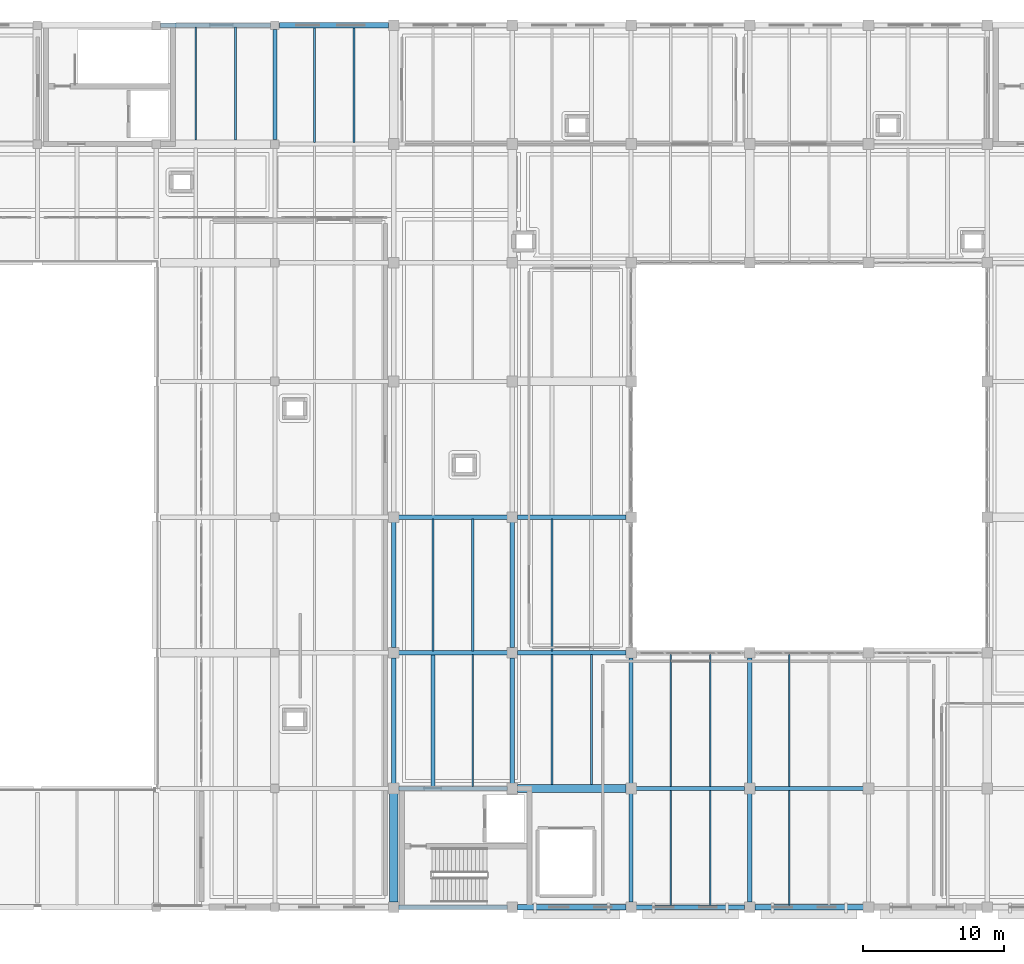
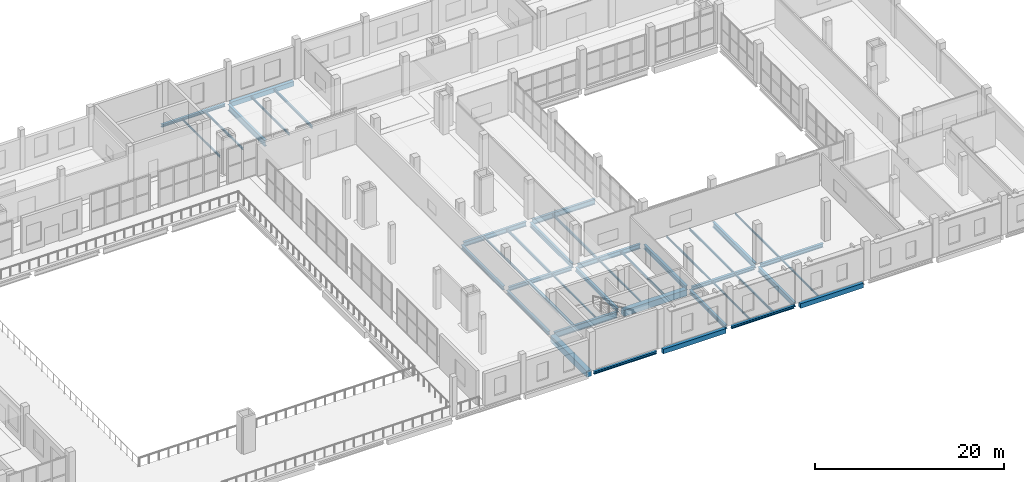
# One storey, part 35 of 77: 41 beams.
"""IFC4 building model written with IfcOpenShell, lengths in metres."""

import ifcopenshell
import ifcopenshell.guid

model = None  # the IFC model being written
_history = None  # IfcOwnerHistory: only IFC2X3 demands one
_inside = {}  # id of a spatial element -> (the spatial element, [elements in it])
_under = {}  # id of a project, library or spatial element -> (it, [spatial elements below it])
_declared = {}  # id of a project -> (the project, [libraries it declares])
_typed = {}  # id of a type object -> (the type object, [elements of that type])
_made_of = {}  # id of a material, layer set ... -> (it, [elements and type objects made of it])


def new_model(schema):
    """Start an empty IFC model of exactly this schema.

    Asked for "IFC4X3", IfcOpenShell would pick the latest addendum, in which some entities
    have other attributes; the version numbers below select the first issue.
    IFC2X3 requires an IfcOwnerHistory on every rooted entity: one is made here for all.
    """
    global model, _history
    if schema == "IFC4X3":
        model = ifcopenshell.file(schema_version=(4, 3, 0, 0))
    else:
        model = ifcopenshell.file(schema=schema)
    _inside.clear()
    _under.clear()
    _declared.clear()
    _typed.clear()
    _made_of.clear()
    _history = None
    if model.schema == "IFC2X3":
        org = make("IfcOrganization", Name="unknown")
        user = make(
            "IfcPersonAndOrganization",
            ThePerson=make("IfcPerson", FamilyName="unknown"),
            TheOrganization=org,
        )
        app = make(
            "IfcApplication",
            ApplicationDeveloper=org,
            Version="unknown",
            ApplicationFullName="unknown",
            ApplicationIdentifier="unknown",
        )
        _history = make(
            "IfcOwnerHistory",
            OwningUser=user,
            OwningApplication=app,
            ChangeAction="ADDED",
            CreationDate=0,
        )
    return model


def make(cls, **values):
    """One entity of the class cls with the attributes given. An attribute that is None is left unset."""
    return model.create_entity(
        cls, **{name: value for name, value in values.items() if value is not None}
    )


def rooted(cls, **values):
    """An entity with a GlobalId (a new one), such as an element, a storey or a relation."""
    return make(cls, GlobalId=ifcopenshell.guid.new(), OwnerHistory=_history, **values)


def si_unit(unit_type, name, prefix=None):
    """IfcSIUnit, for example si_unit("LENGTHUNIT", "METRE", prefix="MILLI")."""
    return make("IfcSIUnit", UnitType=unit_type, Prefix=prefix, Name=name)


def assignment(units):
    """IfcUnitAssignment: the units of a project."""
    return None if units is None else make("IfcUnitAssignment", Units=units)


def point(xyz):
    """IfcCartesianPoint."""
    return None if xyz is None else make("IfcCartesianPoint", Coordinates=xyz)


def direction(xyz):
    """IfcDirection."""
    return None if xyz is None else make("IfcDirection", DirectionRatios=xyz)


def frame(location, z_axis=None, x_axis=None):
    """IfcAxis2Placement3D, a coordinate frame: its origin and axes. An axis left out is left unset."""
    return make(
        "IfcAxis2Placement3D",
        Location=point(location),
        Axis=direction(z_axis),
        RefDirection=direction(x_axis),
    )


def frame_2d(location, x_axis=None):
    """IfcAxis2Placement2D, a coordinate frame in the plane: its origin and x axis."""
    return make(
        "IfcAxis2Placement2D", Location=point(location), RefDirection=direction(x_axis)
    )


def origin():
    """The frame at (0, 0, 0) with its axes left unset."""
    return frame((0.0, 0.0, 0.0))


def origin_2d():
    """The frame at (0, 0) in the plane with its x axis left unset."""
    return frame_2d((0.0, 0.0))


def place(relative_to, where):
    """IfcLocalPlacement: puts the frame where relative to a parent placement (None: the world)."""
    return make(
        "IfcLocalPlacement", PlacementRelTo=relative_to, RelativePlacement=where
    )


def context(
    kind, dimensions, precision=None, world=None, true_north=None, identifier=None
):
    """IfcGeometricRepresentationContext, for example the 3D "Model" context."""
    return make(
        "IfcGeometricRepresentationContext",
        ContextIdentifier=identifier,
        ContextType=kind,
        CoordinateSpaceDimension=dimensions,
        Precision=precision,
        WorldCoordinateSystem=world,
        TrueNorth=true_north,
    )


def subcontext(parent, identifier, kind, view, scale=None):
    """IfcGeometricRepresentationSubContext, for example "Body" below "Model"."""
    return make(
        "IfcGeometricRepresentationSubContext",
        ContextIdentifier=identifier,
        ContextType=kind,
        ParentContext=parent,
        TargetScale=scale,
        TargetView=view,
    )


def project(units=None, contexts=None):
    """IfcProject with its units and contexts."""
    return rooted(
        "IfcProject",
        Name="project",
        RepresentationContexts=contexts,
        UnitsInContext=assignment(units),
    )


def spatial(cls, under=None, at=None, **own):
    """A site, building, storey or space (cls), placed at a placement, below another one or the project."""
    s = rooted(cls, ObjectPlacement=at, **own)
    if under is not None:
        _under.setdefault(under.id(), (under, []))[1].append(s)
    return s


def profile(cls, at=None, kind="AREA", **sizes):
    """A parametric profile (cls). Its sizes go by their IFC names, for example OverallWidth=200.0."""
    return make(cls, ProfileType=kind, Position=at, **sizes)


def rectangle(**sizes):
    """IfcRectangleProfileDef."""
    return profile("IfcRectangleProfileDef", **sizes)


def i_section(**sizes):
    """IfcIShapeProfileDef."""
    return profile("IfcIShapeProfileDef", **sizes)


def extrude(swept, where, along, depth):
    """IfcExtrudedAreaSolid: the profile swept, set in the frame where, extruded along a direction by depth."""
    return make(
        "IfcExtrudedAreaSolid",
        SweptArea=swept,
        Position=where,
        ExtrudedDirection=direction(along),
        Depth=depth,
    )


def shape(context_of_items, identifier, shape_type, items):
    """IfcShapeRepresentation: the items that make up one representation, for example the "Body"."""
    return make(
        "IfcShapeRepresentation",
        ContextOfItems=context_of_items,
        RepresentationIdentifier=identifier,
        RepresentationType=shape_type,
        Items=items,
    )


def material(Name=None, Category=None):
    """IfcMaterial."""
    return make("IfcMaterial", Name=Name, Category=Category)


def material_profile(
    of_material, cross_section, Name=None, Category=None, Priority=None
):
    """IfcMaterialProfile: a cross section and its material."""
    return make(
        "IfcMaterialProfile",
        Name=Name,
        Material=of_material,
        Profile=cross_section,
        Priority=Priority,
        Category=Category,
    )


def profile_set(profiles, Name=None, composite=None):
    """IfcMaterialProfileSet."""
    return make(
        "IfcMaterialProfileSet",
        Name=Name,
        MaterialProfiles=profiles,
        CompositeProfile=composite,
    )


def made_of(thing, what):
    """Note that an element or type object is made of a material, layer set ...; save() writes the relation."""
    if what is not None:
        _made_of.setdefault(what.id(), (what, []))[1].append(thing)
    return thing


def type_object(cls, material=None, **own):
    """A type object (cls), such as IfcWallType, which elements share."""
    return made_of(rooted(cls, **own), material)


def element(
    cls,
    number,
    at=None,
    inside=None,
    cuts=None,
    type_object=None,
    material=None,
    context=None,
    identifier="Body",
    shape_type=None,
    held_by="IfcProductDefinitionShape",
    body=None,
    shapes=None,
    **own,
):
    """One element of the class cls, such as IfcWall. Its Tag is "e" and its number.

    at: its placement. inside: the storey or other place that contains it. cuts: it is an
    opening in that element (IfcRelVoidsElement). A single representation is given by context,
    identifier, shape_type and body (its items); several are given by shapes. held_by: the class
    of the entity that holds the representations. save() writes the other relations.
    """
    e = rooted(cls, Tag="e%d" % number, ObjectPlacement=at, **own)
    if body is not None:
        shapes = [shape(context, identifier, shape_type, body)]
    if shapes is not None:
        e.Representation = make(held_by, Representations=shapes)
    if inside is not None:
        _inside.setdefault(inside.id(), (inside, []))[1].append(e)
    if cuts is not None:
        rooted(
            "IfcRelVoidsElement", RelatingBuildingElement=cuts, RelatedOpeningElement=e
        )
    if type_object is not None:
        _typed.setdefault(type_object.id(), (type_object, []))[1].append(e)
    return made_of(e, material)


def aggregate(whole, parts):
    """IfcRelAggregates: a whole, such as a stair, and the parts it consists of."""
    return rooted("IfcRelAggregates", RelatingObject=whole, RelatedObjects=parts)


def save(model, path):
    """Write the relations noted so far, then the file.

    IfcRelAggregates (storeys below a building ...), IfcRelContainedInSpatialStructure (elements
    in a storey), IfcRelDefinesByType, IfcRelAssociatesMaterial and IfcRelDeclares: one each for
    every whole, place, type object, material and project.
    """
    for whole, parts in _under.values():
        aggregate(whole, parts)
    for where, things in _inside.values():
        rooted(
            "IfcRelContainedInSpatialStructure",
            RelatedElements=things,
            RelatingStructure=where,
        )
    for kind, things in _typed.values():
        rooted("IfcRelDefinesByType", RelatedObjects=things, RelatingType=kind)
    for what, things in _made_of.values():
        rooted("IfcRelAssociatesMaterial", RelatedObjects=things, RelatingMaterial=what)
    for by, libraries in _declared.values():
        rooted("IfcRelDeclares", RelatingContext=by, RelatedDefinitions=libraries)
    model.write(path)


model = new_model("IFC4")

# Units and contexts
model_context = context("Model", 3, precision=1e-05, world=origin(), true_north=direction((0.0, 1.0)))
body_context = subcontext(model_context, "Body", "Model", "MODEL_VIEW")
ifc_project = project(units=[si_unit("LENGTHUNIT", "METRE"), si_unit("AREAUNIT", "SQUARE_METRE"), si_unit("VOLUMEUNIT", "CUBIC_METRE"), si_unit("PLANEANGLEUNIT", "RADIAN"), si_unit("MASSUNIT", "GRAM", prefix="KILO")], contexts=[model_context])

# Site, building, storey
site_placement = place(None, origin())
site = spatial("IfcSite", under=ifc_project, at=site_placement, CompositionType="ELEMENT")
building_placement = place(site_placement, origin())
building = spatial("IfcBuilding", under=site, at=building_placement, Name="Zulmaris Art Gallery", CompositionType="ELEMENT")
storey_placement = place(building_placement, frame((0.0, 0.0, 15.60009765625)))
storey = spatial("IfcBuildingStorey", under=building, at=storey_placement, Name="L03", CompositionType="ELEMENT", Elevation=15.60009765625)

# Beams
ifc_material_1 = material(Name="Steel S355J2", Category="steel")
ifc_material_profile_1 = material_profile(ifc_material_1, i_section(OverallWidth=0.300048828125, OverallDepth=0.43994140625, WebThickness=0.011474609375, FlangeThickness=0.02099609375, FilletRadius=0.027099609375, at=origin_2d()), Name="HEA 450")
ifc_profile_set_1 = profile_set([ifc_material_profile_1], Name="Steel S355J2")
beam_type_1 = type_object("IfcBeamType", Name="BEAM-BM10", PredefinedType="BEAM", material=ifc_profile_set_1)
beam_1_placement = place(storey_placement, frame((158.760009765625, 21.60009765625, -0.6201171875), z_axis=(1.0, 0.0, 0.0), x_axis=(0.0, 1.0, 0.0)))
element("IfcBeam", 1, at=beam_1_placement, inside=storey, type_object=beam_type_1, Name="L03 X-girder (158.4..166.8, y=21.6)", PredefinedType="BEAM", context=body_context, shape_type="SweptSolid", body=[
    extrude(i_section(OverallWidth=0.300048828125, OverallDepth=0.43994140625, WebThickness=0.011474609375, FlangeThickness=0.02099609375, FilletRadius=0.027099609375, at=origin_2d()), origin(), (0.0, 0.0, 1.0), 7.679931640625),
])
beam_2_placement = place(storey_placement, frame((141.60009765625, 21.9599609375, -0.6201171875), z_axis=(0.0, 1.0, 0.0), x_axis=(-1.0, 0.0, 0.0)))
element("IfcBeam", 2, at=beam_2_placement, inside=storey, type_object=beam_type_1, Name="L03 Y-girder (x=141.6, 21.6..31.2)", PredefinedType="BEAM", context=body_context, shape_type="SweptSolid", body=[
    extrude(i_section(OverallWidth=0.300048828125, OverallDepth=0.43994140625, WebThickness=0.011474609375, FlangeThickness=0.02099609375, FilletRadius=0.027099609375, at=origin_2d()), origin(), (0.0, 0.0, 1.0), 8.880126953125),
])
ifc_material_profile_2 = material_profile(ifc_material_1, i_section(OverallWidth=0.300048828125, OverallDepth=0.489990234375, WebThickness=0.011962890625, FlangeThickness=0.02294921875, FilletRadius=0.027099609375, at=origin_2d()), Name="HEA 500")
ifc_profile_set_2 = profile_set([ifc_material_profile_2], Name="Steel S355J2")
beam_type_2 = type_object("IfcBeamType", Name="BEAM-BM11", PredefinedType="BEAM", material=ifc_profile_set_2)
beam_3_placement = place(storey_placement, frame((167.159912109375, 21.60009765625, -0.614990234375), z_axis=(1.0, 0.0, 0.0), x_axis=(0.0, 1.0, 0.0)))
element("IfcBeam", 3, at=beam_3_placement, inside=storey, type_object=beam_type_2, Name="L03 X-girder (166.8..175.2, y=21.6)", PredefinedType="BEAM", context=body_context, shape_type="SweptSolid", body=[
    extrude(i_section(OverallWidth=0.300048828125, OverallDepth=0.489990234375, WebThickness=0.011962890625, FlangeThickness=0.02294921875, FilletRadius=0.027099609375, at=origin_2d()), origin(), (0.0, 0.0, 1.0), 7.68017578125),
])
beam_4_placement = place(storey_placement, frame((141.9599609375, 31.199951171875, -0.614990234375), z_axis=(1.0, 0.0, 0.0), x_axis=(0.0, 1.0, 0.0)))
element("IfcBeam", 4, at=beam_4_placement, inside=storey, type_object=beam_type_2, Name="L03 X-girder (141.6..150.0, y=31.2)", PredefinedType="BEAM", context=body_context, shape_type="SweptSolid", body=[
    extrude(i_section(OverallWidth=0.300048828125, OverallDepth=0.489990234375, WebThickness=0.011962890625, FlangeThickness=0.02294921875, FilletRadius=0.027099609375, at=origin_2d()), origin(), (0.0, 0.0, 1.0), 7.679931640625),
])
beam_5_placement = place(storey_placement, frame((141.60009765625, 31.56005859375, -0.614990234375), z_axis=(0.0, 1.0, 0.0), x_axis=(-1.0, 0.0, 0.0)))
element("IfcBeam", 5, at=beam_5_placement, inside=storey, type_object=beam_type_2, Name="L03 Y-girder (x=141.6, 31.2..40.8)", PredefinedType="BEAM", context=body_context, shape_type="SweptSolid", body=[
    extrude(i_section(OverallWidth=0.300048828125, OverallDepth=0.489990234375, WebThickness=0.011962890625, FlangeThickness=0.02294921875, FilletRadius=0.027099609375, at=origin_2d()), origin(), (0.0, 0.0, 1.0), 8.8798828125),
])
beam_6_placement = place(storey_placement, frame((150.0, 21.9599609375, -0.614990234375), z_axis=(0.0, 1.0, 0.0), x_axis=(-1.0, 0.0, 0.0)))
element("IfcBeam", 6, at=beam_6_placement, inside=storey, type_object=beam_type_2, Name="L03 Y-girder (x=150.0, 21.6..31.2)", PredefinedType="BEAM", context=body_context, shape_type="SweptSolid", body=[
    extrude(i_section(OverallWidth=0.300048828125, OverallDepth=0.489990234375, WebThickness=0.011962890625, FlangeThickness=0.02294921875, FilletRadius=0.027099609375, at=origin_2d()), origin(), (0.0, 0.0, 1.0), 8.880126953125),
])
beam_7_placement = place(storey_placement, frame((158.39990234375, 13.56005859375, -0.614990234375), z_axis=(0.0, 1.0, 0.0), x_axis=(-1.0, 0.0, 0.0)))
element("IfcBeam", 7, at=beam_7_placement, inside=storey, type_object=beam_type_2, Name="L03 Y-girder (x=158.4, 13.2..21.6)", PredefinedType="BEAM", context=body_context, shape_type="SweptSolid", body=[
    extrude(i_section(OverallWidth=0.300048828125, OverallDepth=0.489990234375, WebThickness=0.011962890625, FlangeThickness=0.02294921875, FilletRadius=0.027099609375, at=origin_2d()), origin(), (0.0, 0.0, 1.0), 7.679931640625),
])
ifc_material_profile_3 = material_profile(ifc_material_1, i_section(OverallWidth=0.300048828125, OverallDepth=0.60009765625, WebThickness=0.015380859375, FlangeThickness=0.030029296875, FilletRadius=0.027099609375, at=origin_2d()), Name="HEB 600")
ifc_profile_set_3 = profile_set([ifc_material_profile_3], Name="Steel S355J2")
beam_type_3 = type_object("IfcBeamType", Name="BEAM-BM15", PredefinedType="BEAM", material=ifc_profile_set_3)
for number, where, z_axis, x_axis, name in (
    (8, (150.360107421875, 31.199951171875, -0.670166015625), (1.0, 0.0, 0.0), (0.0, 1.0, 0.0), "L03 X-girder (150.0..158.4, y=31.2)"),
    (9, (141.9599609375, 40.800048828125, -0.670166015625), (1.0, 0.0, 0.0), (0.0, 1.0, 0.0), "L03 X-girder (141.6..150.0, y=40.8)"),
):
    element("IfcBeam", number, at=place(storey_placement, frame(where, z_axis=z_axis, x_axis=x_axis)), inside=storey, type_object=beam_type_3, Name=name, PredefinedType="BEAM", context=body_context, shape_type="SweptSolid", body=[
        extrude(i_section(OverallWidth=0.300048828125, OverallDepth=0.60009765625, WebThickness=0.015380859375, FlangeThickness=0.030029296875, FilletRadius=0.027099609375, at=origin_2d()), origin(), (0.0, 0.0, 1.0), 7.679931640625),
    ])
beam_8_placement = place(storey_placement, frame((150.0, 31.56005859375, -0.670166015625), z_axis=(0.0, 1.0, 0.0), x_axis=(-1.0, 0.0, 0.0)))
element("IfcBeam", 10, at=beam_8_placement, inside=storey, type_object=beam_type_3, Name="L03 Y-girder (x=150.0, 31.2..40.8)", PredefinedType="BEAM", context=body_context, shape_type="SweptSolid", body=[
    extrude(i_section(OverallWidth=0.300048828125, OverallDepth=0.60009765625, WebThickness=0.015380859375, FlangeThickness=0.030029296875, FilletRadius=0.027099609375, at=origin_2d()), origin(), (0.0, 0.0, 1.0), 8.8798828125),
])
beam_9_placement = place(storey_placement, frame((158.39990234375, 21.9599609375, -0.670166015625), z_axis=(0.0, 1.0, 0.0), x_axis=(-1.0, 0.0, 0.0)))
element("IfcBeam", 11, at=beam_9_placement, inside=storey, type_object=beam_type_3, Name="L03 Y-girder (x=158.4, 21.6..31.2)", PredefinedType="BEAM", context=body_context, shape_type="SweptSolid", body=[
    extrude(i_section(OverallWidth=0.300048828125, OverallDepth=0.60009765625, WebThickness=0.015380859375, FlangeThickness=0.030029296875, FilletRadius=0.027099609375, at=origin_2d()), origin(), (0.0, 0.0, 1.0), 8.880126953125),
])
beam_10_placement = place(storey_placement, frame((166.800048828125, 13.56005859375, -0.670166015625), z_axis=(0.0, 1.0, 0.0), x_axis=(-1.0, 0.0, 0.0)))
element("IfcBeam", 12, at=beam_10_placement, inside=storey, type_object=beam_type_3, Name="L03 Y-girder (x=166.8, 13.2..21.6)", PredefinedType="BEAM", context=body_context, shape_type="SweptSolid", body=[
    extrude(i_section(OverallWidth=0.300048828125, OverallDepth=0.60009765625, WebThickness=0.015380859375, FlangeThickness=0.030029296875, FilletRadius=0.027099609375, at=origin_2d()), origin(), (0.0, 0.0, 1.0), 7.679931640625),
])
ifc_material_profile_4 = material_profile(ifc_material_1, i_section(OverallWidth=0.300048828125, OverallDepth=0.699951171875, WebThickness=0.01708984375, FlangeThickness=0.031982421875, FilletRadius=0.027099609375, at=origin_2d()), Name="HEB 700")
ifc_profile_set_4 = profile_set([ifc_material_profile_4], Name="Steel S355J2")
beam_type_4 = type_object("IfcBeamType", Name="BEAM-BM16", PredefinedType="BEAM", material=ifc_profile_set_4)
beam_11_placement = place(storey_placement, frame((150.360107421875, 40.800048828125, -0.72021484375), z_axis=(1.0, 0.0, 0.0), x_axis=(0.0, 1.0, 0.0)))
element("IfcBeam", 13, at=beam_11_placement, inside=storey, type_object=beam_type_4, Name="L03 X-girder (150.0..158.4, y=40.8)", PredefinedType="BEAM", context=body_context, shape_type="SweptSolid", body=[
    extrude(i_section(OverallWidth=0.300048828125, OverallDepth=0.699951171875, WebThickness=0.01708984375, FlangeThickness=0.031982421875, FilletRadius=0.027099609375, at=origin_2d()), origin(), (0.0, 0.0, 1.0), 7.679931640625),
])
beam_12_placement = place(storey_placement, frame((166.800048828125, 21.9599609375, -0.72021484375), z_axis=(0.0, 1.0, 0.0), x_axis=(-1.0, 0.0, 0.0)))
element("IfcBeam", 14, at=beam_12_placement, inside=storey, type_object=beam_type_4, Name="L03 Y-girder (x=166.8, 21.6..31.2)", PredefinedType="BEAM", context=body_context, shape_type="SweptSolid", body=[
    extrude(i_section(OverallWidth=0.300048828125, OverallDepth=0.699951171875, WebThickness=0.01708984375, FlangeThickness=0.031982421875, FilletRadius=0.027099609375, at=origin_2d()), origin(), (0.0, 0.0, 1.0), 8.880126953125),
])
ifc_material_profile_5 = material_profile(ifc_material_1, i_section(OverallWidth=0.300048828125, OverallDepth=0.800048828125, WebThickness=0.017578125, FlangeThickness=0.032958984375, FilletRadius=0.030029296875, at=origin_2d()), Name="HEB 800")
ifc_profile_set_5 = profile_set([ifc_material_profile_5], Name="Steel S355J2")
beam_type_5 = type_object("IfcBeamType", Name="BEAM-BM17", PredefinedType="BEAM", material=ifc_profile_set_5)
beam_13_placement = place(storey_placement, frame((141.9599609375, 21.60009765625, -0.77001953125), z_axis=(1.0, 0.0, 0.0), x_axis=(0.0, 1.0, 0.0)))
element("IfcBeam", 15, at=beam_13_placement, inside=storey, type_object=beam_type_5, Name="L03 X-girder (141.6..150.0, y=21.6)", PredefinedType="BEAM", context=body_context, shape_type="SweptSolid", body=[
    extrude(i_section(OverallWidth=0.300048828125, OverallDepth=0.800048828125, WebThickness=0.017578125, FlangeThickness=0.032958984375, FilletRadius=0.030029296875, at=origin_2d()), origin(), (0.0, 0.0, 1.0), 7.679931640625),
])
beam_14_placement = place(storey_placement, frame((133.199951171875, 67.510009765625, -0.77001953125), z_axis=(0.0, 1.0, 0.0), x_axis=(-1.0, 0.0, 0.0)))
element("IfcBeam", 16, at=beam_14_placement, inside=storey, type_object=beam_type_5, Name="L03 Y-girder (x=133.2, 67.2..75.6)", PredefinedType="BEAM", context=body_context, shape_type="SweptSolid", body=[
    extrude(i_section(OverallWidth=0.300048828125, OverallDepth=0.800048828125, WebThickness=0.017578125, FlangeThickness=0.032958984375, FilletRadius=0.030029296875, at=origin_2d()), origin(), (0.0, 0.0, 1.0), 7.780029296875),
])
ifc_material_2 = material(Name="Concrete C40/50", Category="concrete")
ifc_material_profile_6 = material_profile(ifc_material_2, rectangle(XDim=0.60009765625, YDim=0.800048828125, at=origin_2d()), Name="RC 600x800")
ifc_profile_set_6 = profile_set([ifc_material_profile_6], Name="Concrete C40/50")
beam_type_6 = type_object("IfcBeamType", Name="BEAM-BM27", PredefinedType="BEAM", material=ifc_profile_set_6)
for number, where, z_axis, x_axis, name in (
    (17, (150.360107421875, 21.60009765625, -0.77001953125), (1.0, 0.0, 0.0), (0.0, 1.0, 0.0), "L03 X-girder (150.0..158.4, y=21.6)"),
    (18, (141.60009765625, 13.56005859375, -0.77001953125), (0.0, 1.0, 0.0), (-1.0, 0.0, 0.0), "L03 Y-girder (x=141.6, 13.2..21.6)"),
):
    element("IfcBeam", number, at=place(storey_placement, frame(where, z_axis=z_axis, x_axis=x_axis)), inside=storey, type_object=beam_type_6, Name=name, PredefinedType="BEAM", context=body_context, shape_type="SweptSolid", body=[
        extrude(rectangle(XDim=0.60009765625, YDim=0.800048828125, at=origin_2d()), origin(), (0.0, 0.0, 1.0), 7.679931640625),
    ])
ifc_material_profile_7 = material_profile(ifc_material_1, i_section(OverallWidth=0.1201171875, OverallDepth=0.239990234375, WebThickness=0.006103515625, FlangeThickness=0.009765625, FilletRadius=0.014892578125, at=origin_2d()), Name="IPE 240")
ifc_profile_set_7 = profile_set([ifc_material_profile_7], Name="Steel S355J2")
beam_type_7 = type_object("IfcBeamType", Name="BEAM-JS01", PredefinedType="JOIST", material=ifc_profile_set_7)
beam_15_placement = place(storey_placement, frame((127.60009765625, 67.47509765625, -0.489990234375), z_axis=(0.0, 1.0, 0.0), x_axis=(-1.0, 0.0, 0.0)))
element("IfcBeam", 19, at=beam_15_placement, inside=storey, type_object=beam_type_7, Name="L03 secondary joist at x=127.6", PredefinedType="JOIST", context=body_context, shape_type="SweptSolid", body=[
    extrude(i_section(OverallWidth=0.1201171875, OverallDepth=0.239990234375, WebThickness=0.006103515625, FlangeThickness=0.009765625, FilletRadius=0.014892578125, at=origin_2d()), origin(), (0.0, 0.0, 1.0), 8.0),
])
beam_16_placement = place(storey_placement, frame((147.199951171875, 21.72509765625, -0.489990234375), z_axis=(0.0, 1.0, 0.0), x_axis=(-1.0, 0.0, 0.0)))
element("IfcBeam", 20, at=beam_16_placement, inside=storey, type_object=beam_type_7, Name="L03 secondary joist at x=147.2", PredefinedType="JOIST", context=body_context, shape_type="SweptSolid", body=[
    extrude(i_section(OverallWidth=0.1201171875, OverallDepth=0.239990234375, WebThickness=0.006103515625, FlangeThickness=0.009765625, FilletRadius=0.014892578125, at=origin_2d()), origin(), (0.0, 0.0, 1.0), 9.349853515625),
])
beam_17_placement = place(storey_placement, frame((152.800048828125, 21.875, -0.489990234375), z_axis=(0.0, 1.0, 0.0), x_axis=(-1.0, 0.0, 0.0)))
element("IfcBeam", 21, at=beam_17_placement, inside=storey, type_object=beam_type_7, Name="L03 secondary joist at x=152.8", PredefinedType="JOIST", context=body_context, shape_type="SweptSolid", body=[
    extrude(i_section(OverallWidth=0.1201171875, OverallDepth=0.239990234375, WebThickness=0.006103515625, FlangeThickness=0.009765625, FilletRadius=0.014892578125, at=origin_2d()), origin(), (0.0, 0.0, 1.0), 9.199951171875),
])
beam_18_placement = place(storey_placement, frame((161.199951171875, 13.324951171875, -0.489990234375), z_axis=(0.0, 1.0, 0.0), x_axis=(-1.0, 0.0, 0.0)))
element("IfcBeam", 22, at=beam_18_placement, inside=storey, type_object=beam_type_7, Name="L03 secondary joist at x=161.2", PredefinedType="JOIST", context=body_context, shape_type="SweptSolid", body=[
    extrude(i_section(OverallWidth=0.1201171875, OverallDepth=0.239990234375, WebThickness=0.006103515625, FlangeThickness=0.009765625, FilletRadius=0.014892578125, at=origin_2d()), origin(), (0.0, 0.0, 1.0), 8.150146484375),
])
beam_19_placement = place(storey_placement, frame((161.199951171875, 21.72509765625, -0.489990234375), z_axis=(0.0, 1.0, 0.0), x_axis=(-1.0, 0.0, 0.0)))
element("IfcBeam", 23, at=beam_19_placement, inside=storey, type_object=beam_type_7, Name="L03 secondary joist at x=161.2", PredefinedType="JOIST", context=body_context, shape_type="SweptSolid", body=[
    extrude(i_section(OverallWidth=0.1201171875, OverallDepth=0.239990234375, WebThickness=0.006103515625, FlangeThickness=0.009765625, FilletRadius=0.014892578125, at=origin_2d()), origin(), (0.0, 0.0, 1.0), 9.349853515625),
])
beam_20_placement = place(storey_placement, frame((169.60009765625, 13.375, -0.489990234375), z_axis=(0.0, 1.0, 0.0), x_axis=(-1.0, 0.0, 0.0)))
element("IfcBeam", 24, at=beam_20_placement, inside=storey, type_object=beam_type_7, Name="L03 secondary joist at x=169.6", PredefinedType="JOIST", context=body_context, shape_type="SweptSolid", body=[
    extrude(i_section(OverallWidth=0.1201171875, OverallDepth=0.239990234375, WebThickness=0.006103515625, FlangeThickness=0.009765625, FilletRadius=0.014892578125, at=origin_2d()), origin(), (0.0, 0.0, 1.0), 8.10009765625),
])
beam_21_placement = place(storey_placement, frame((169.60009765625, 21.72509765625, -0.489990234375), z_axis=(0.0, 1.0, 0.0), x_axis=(-1.0, 0.0, 0.0)))
element("IfcBeam", 25, at=beam_21_placement, inside=storey, type_object=beam_type_7, Name="L03 secondary joist at x=169.6", PredefinedType="JOIST", context=body_context, shape_type="SweptSolid", body=[
    extrude(i_section(OverallWidth=0.1201171875, OverallDepth=0.239990234375, WebThickness=0.006103515625, FlangeThickness=0.009765625, FilletRadius=0.014892578125, at=origin_2d()), origin(), (0.0, 0.0, 1.0), 9.349853515625),
])
ifc_material_profile_8 = material_profile(ifc_material_1, i_section(OverallWidth=0.135009765625, OverallDepth=0.27001953125, WebThickness=0.006591796875, FlangeThickness=0.01025390625, FilletRadius=0.014892578125, at=origin_2d()), Name="IPE 270")
ifc_profile_set_8 = profile_set([ifc_material_profile_8], Name="Steel S355J2")
beam_type_8 = type_object("IfcBeamType", Name="BEAM-JS02", PredefinedType="JOIST", material=ifc_profile_set_8)
beam_22_placement = place(storey_placement, frame((130.39990234375, 67.47509765625, -0.505126953125), z_axis=(0.0, 1.0, 0.0), x_axis=(-1.0, 0.0, 0.0)))
element("IfcBeam", 26, at=beam_22_placement, inside=storey, type_object=beam_type_8, Name="L03 secondary joist at x=130.4", PredefinedType="JOIST", context=body_context, shape_type="SweptSolid", body=[
    extrude(i_section(OverallWidth=0.135009765625, OverallDepth=0.27001953125, WebThickness=0.006591796875, FlangeThickness=0.01025390625, FilletRadius=0.014892578125, at=origin_2d()), origin(), (0.0, 0.0, 1.0), 8.0),
])
beam_23_placement = place(storey_placement, frame((136.0, 67.324951171875, -0.505126953125), z_axis=(0.0, 1.0, 0.0), x_axis=(-1.0, 0.0, 0.0)))
element("IfcBeam", 27, at=beam_23_placement, inside=storey, type_object=beam_type_8, Name="L03 secondary joist at x=136.0", PredefinedType="JOIST", context=body_context, shape_type="SweptSolid", body=[
    extrude(i_section(OverallWidth=0.135009765625, OverallDepth=0.27001953125, WebThickness=0.006591796875, FlangeThickness=0.01025390625, FilletRadius=0.014892578125, at=origin_2d()), origin(), (0.0, 0.0, 1.0), 8.10009765625),
])
beam_24_placement = place(storey_placement, frame((144.39990234375, 31.324951171875, -0.505126953125), z_axis=(0.0, 1.0, 0.0), x_axis=(-1.0, 0.0, 0.0)))
element("IfcBeam", 28, at=beam_24_placement, inside=storey, type_object=beam_type_8, Name="L03 secondary joist at x=144.4", PredefinedType="JOIST", context=body_context, shape_type="SweptSolid", body=[
    extrude(i_section(OverallWidth=0.135009765625, OverallDepth=0.27001953125, WebThickness=0.006591796875, FlangeThickness=0.01025390625, FilletRadius=0.014892578125, at=origin_2d()), origin(), (0.0, 0.0, 1.0), 9.35009765625),
])
beam_25_placement = place(storey_placement, frame((155.60009765625, 21.875, -0.505126953125), z_axis=(0.0, 1.0, 0.0), x_axis=(-1.0, 0.0, 0.0)))
element("IfcBeam", 29, at=beam_25_placement, inside=storey, type_object=beam_type_8, Name="L03 secondary joist at x=155.6", PredefinedType="JOIST", context=body_context, shape_type="SweptSolid", body=[
    extrude(i_section(OverallWidth=0.135009765625, OverallDepth=0.27001953125, WebThickness=0.006591796875, FlangeThickness=0.01025390625, FilletRadius=0.014892578125, at=origin_2d()), origin(), (0.0, 0.0, 1.0), 9.199951171875),
])
beam_26_placement = place(storey_placement, frame((164.0, 13.324951171875, -0.505126953125), z_axis=(0.0, 1.0, 0.0), x_axis=(-1.0, 0.0, 0.0)))
element("IfcBeam", 30, at=beam_26_placement, inside=storey, type_object=beam_type_8, Name="L03 secondary joist at x=164.0", PredefinedType="JOIST", context=body_context, shape_type="SweptSolid", body=[
    extrude(i_section(OverallWidth=0.135009765625, OverallDepth=0.27001953125, WebThickness=0.006591796875, FlangeThickness=0.01025390625, FilletRadius=0.014892578125, at=origin_2d()), origin(), (0.0, 0.0, 1.0), 8.150146484375),
])
beam_27_placement = place(storey_placement, frame((164.0, 21.72509765625, -0.505126953125), z_axis=(0.0, 1.0, 0.0), x_axis=(-1.0, 0.0, 0.0)))
element("IfcBeam", 31, at=beam_27_placement, inside=storey, type_object=beam_type_8, Name="L03 secondary joist at x=164.0", PredefinedType="JOIST", context=body_context, shape_type="SweptSolid", body=[
    extrude(i_section(OverallWidth=0.135009765625, OverallDepth=0.27001953125, WebThickness=0.006591796875, FlangeThickness=0.01025390625, FilletRadius=0.014892578125, at=origin_2d()), origin(), (0.0, 0.0, 1.0), 9.349853515625),
])
ifc_material_profile_9 = material_profile(ifc_material_1, i_section(OverallWidth=0.159912109375, OverallDepth=0.330078125, WebThickness=0.007568359375, FlangeThickness=0.011474609375, FilletRadius=0.01806640625, at=origin_2d()), Name="IPE 330")
ifc_profile_set_9 = profile_set([ifc_material_profile_9], Name="Steel S355J2")
beam_type_9 = type_object("IfcBeamType", Name="BEAM-JS03", PredefinedType="JOIST", material=ifc_profile_set_9)
beam_28_placement = place(storey_placement, frame((138.800048828125, 67.324951171875, -0.53515625), z_axis=(0.0, 1.0, 0.0), x_axis=(-1.0, 0.0, 0.0)))
element("IfcBeam", 32, at=beam_28_placement, inside=storey, type_object=beam_type_9, Name="L03 secondary joist at x=138.8", PredefinedType="JOIST", context=body_context, shape_type="SweptSolid", body=[
    extrude(i_section(OverallWidth=0.159912109375, OverallDepth=0.330078125, WebThickness=0.007568359375, FlangeThickness=0.011474609375, FilletRadius=0.01806640625, at=origin_2d()), origin(), (0.0, 0.0, 1.0), 8.10009765625),
])
for number, where, z_axis, x_axis, name in (
    (33, (147.199951171875, 31.324951171875, -0.53515625), (0.0, 1.0, 0.0), (-1.0, 0.0, 0.0), "L03 secondary joist at x=147.2"),
    (34, (152.800048828125, 31.324951171875, -0.53515625), (0.0, 1.0, 0.0), (-1.0, 0.0, 0.0), "L03 secondary joist at x=152.8"),
):
    element("IfcBeam", number, at=place(storey_placement, frame(where, z_axis=z_axis, x_axis=x_axis)), inside=storey, type_object=beam_type_9, Name=name, PredefinedType="JOIST", context=body_context, shape_type="SweptSolid", body=[
        extrude(i_section(OverallWidth=0.159912109375, OverallDepth=0.330078125, WebThickness=0.007568359375, FlangeThickness=0.011474609375, FilletRadius=0.01806640625, at=origin_2d()), origin(), (0.0, 0.0, 1.0), 9.35009765625),
    ])
ifc_material_profile_10 = material_profile(ifc_material_1, i_section(OverallWidth=0.280029296875, OverallDepth=0.27001953125, WebThickness=0.008056640625, FlangeThickness=0.012939453125, FilletRadius=0.02392578125, at=origin_2d()), Name="HEA 280")
ifc_profile_set_10 = profile_set([ifc_material_profile_10], Name="Steel S355J2")
beam_type_10 = type_object("IfcBeamType", Name="BEAM-JS04", PredefinedType="JOIST", material=ifc_profile_set_10)
beam_29_placement = place(storey_placement, frame((144.39990234375, 21.72509765625, -0.505126953125), z_axis=(0.0, 1.0, 0.0), x_axis=(-1.0, 0.0, 0.0)))
element("IfcBeam", 35, at=beam_29_placement, inside=storey, type_object=beam_type_10, Name="L03 secondary joist at x=144.4", PredefinedType="JOIST", context=body_context, shape_type="SweptSolid", body=[
    extrude(i_section(OverallWidth=0.280029296875, OverallDepth=0.27001953125, WebThickness=0.008056640625, FlangeThickness=0.012939453125, FilletRadius=0.02392578125, at=origin_2d()), origin(), (0.0, 0.0, 1.0), 9.349853515625),
])
ifc_material_profile_11 = material_profile(ifc_material_1, i_section(OverallWidth=0.300048828125, OverallDepth=0.35009765625, WebThickness=0.010009765625, FlangeThickness=0.017578125, FilletRadius=0.027099609375, at=origin_2d()), Name="HEA 360")
ifc_profile_set_11 = profile_set([ifc_material_profile_11], Name="Steel S355J2")
beam_type_11 = type_object("IfcBeamType", Name="BEAM-SP01", PredefinedType="SPANDREL", material=ifc_profile_set_11)
for number, where, z_axis, x_axis, name in (
    (36, (141.9599609375, 13.199951171875, -0.545166015625), (1.0, 0.0, 0.0), (0.0, 1.0, 0.0), "L03 X-girder (141.6..150.0, y=13.2)"),
    (37, (158.760009765625, 13.199951171875, -0.545166015625), (1.0, 0.0, 0.0), (0.0, 1.0, 0.0), "L03 X-girder (158.4..166.8, y=13.2)"),
):
    element("IfcBeam", number, at=place(storey_placement, frame(where, z_axis=z_axis, x_axis=x_axis)), inside=storey, type_object=beam_type_11, Name=name, PredefinedType="SPANDREL", context=body_context, shape_type="SweptSolid", body=[
        extrude(i_section(OverallWidth=0.300048828125, OverallDepth=0.35009765625, WebThickness=0.010009765625, FlangeThickness=0.017578125, FilletRadius=0.027099609375, at=origin_2d()), origin(), (0.0, 0.0, 1.0), 7.679931640625),
    ])
beam_30_placement = place(storey_placement, frame((125.110107421875, 75.60009765625, -0.545166015625), z_axis=(1.0, 0.0, 0.0), x_axis=(0.0, 1.0, 0.0)))
element("IfcBeam", 38, at=beam_30_placement, inside=storey, type_object=beam_type_11, Name="L03 X-girder (124.8..133.2, y=75.6)", PredefinedType="SPANDREL", context=body_context, shape_type="SweptSolid", body=[
    extrude(i_section(OverallWidth=0.300048828125, OverallDepth=0.35009765625, WebThickness=0.010009765625, FlangeThickness=0.017578125, FilletRadius=0.027099609375, at=origin_2d()), origin(), (0.0, 0.0, 1.0), 7.77978515625),
])
ifc_material_profile_12 = material_profile(ifc_material_2, rectangle(XDim=0.39990234375, YDim=0.60009765625, at=origin_2d()), Name="RC 400x600")
ifc_profile_set_12 = profile_set([ifc_material_profile_12], Name="Concrete C40/50")
beam_type_12 = type_object("IfcBeamType", Name="BEAM-SP03", PredefinedType="SPANDREL", material=ifc_profile_set_12)
beam_31_placement = place(storey_placement, frame((150.360107421875, 13.199951171875, -0.670166015625), z_axis=(1.0, 0.0, 0.0), x_axis=(0.0, 1.0, 0.0)))
element("IfcBeam", 39, at=beam_31_placement, inside=storey, type_object=beam_type_12, Name="L03 X-girder (150.0..158.4, y=13.2)", PredefinedType="SPANDREL", context=body_context, shape_type="SweptSolid", body=[
    extrude(rectangle(XDim=0.39990234375, YDim=0.60009765625, at=origin_2d()), origin(), (0.0, 0.0, 1.0), 7.679931640625),
])
beam_32_placement = place(storey_placement, frame((167.159912109375, 13.199951171875, -0.670166015625), z_axis=(1.0, 0.0, 0.0), x_axis=(0.0, 1.0, 0.0)))
element("IfcBeam", 40, at=beam_32_placement, inside=storey, type_object=beam_type_12, Name="L03 X-girder (166.8..175.2, y=13.2)", PredefinedType="SPANDREL", context=body_context, shape_type="SweptSolid", body=[
    extrude(rectangle(XDim=0.39990234375, YDim=0.60009765625, at=origin_2d()), origin(), (0.0, 0.0, 1.0), 7.68017578125),
])
beam_33_placement = place(storey_placement, frame((133.510009765625, 75.60009765625, -0.670166015625), z_axis=(1.0, 0.0, 0.0), x_axis=(0.0, 1.0, 0.0)))
element("IfcBeam", 41, at=beam_33_placement, inside=storey, type_object=beam_type_12, Name="L03 X-girder (133.2..141.6, y=75.6)", PredefinedType="SPANDREL", context=body_context, shape_type="SweptSolid", body=[
    extrude(rectangle(XDim=0.39990234375, YDim=0.60009765625, at=origin_2d()), origin(), (0.0, 0.0, 1.0), 7.72998046875),
])

save(model, "model.ifc")
